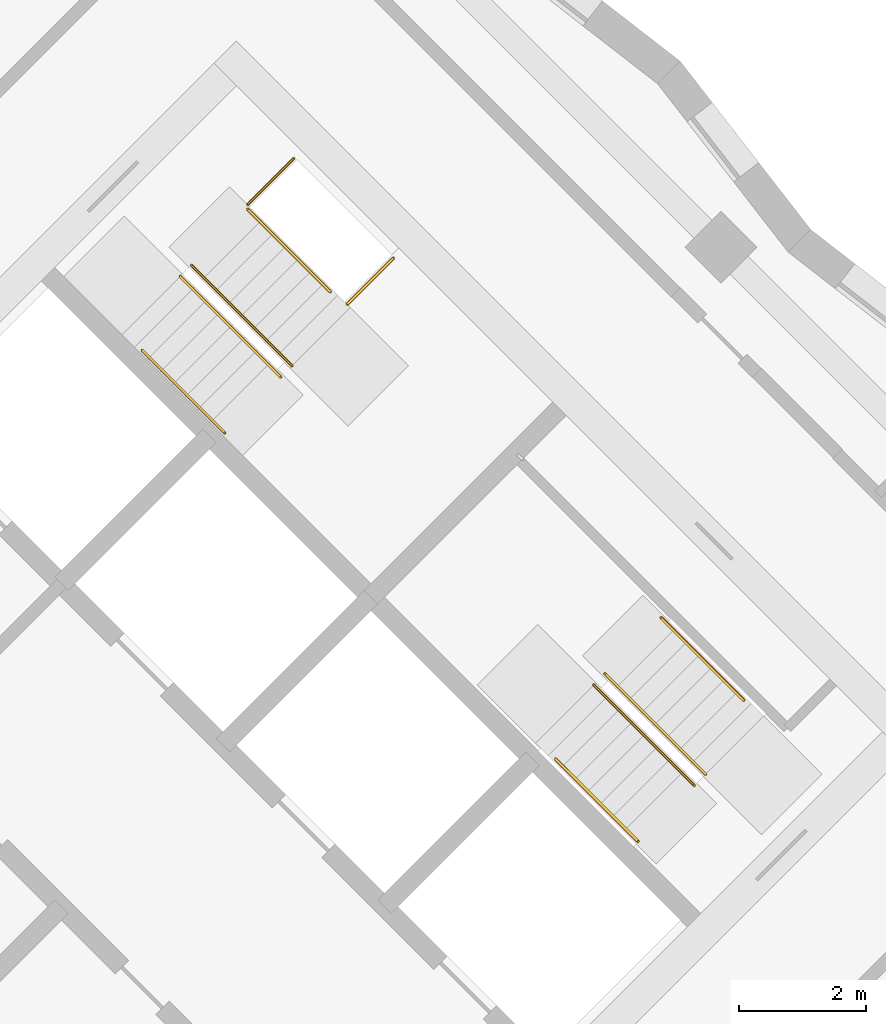
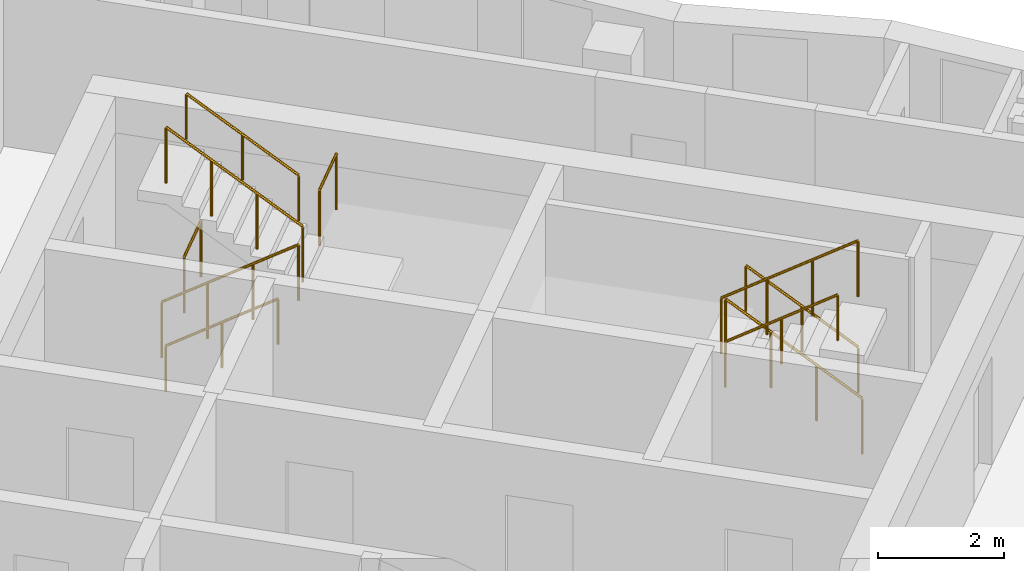
# One storey, part 13 of 13: 10 railings.
"""IFC4 building model written with IfcOpenShell, lengths in metres."""

from ifc_helpers import new_model, si_unit, direction, frame, origin, origin_2d, place, context, subcontext, project, spatial, circle, extrude, material, type_object, element, save


model = new_model("IFC4")

# Units and contexts
model_context = context("Model", 3, precision=1e-05, world=origin(), true_north=direction((0.0, 1.0)))
body_context = subcontext(model_context, "Body", "Model", "MODEL_VIEW")
ifc_project = project(units=[si_unit("LENGTHUNIT", "METRE"), si_unit("AREAUNIT", "SQUARE_METRE"), si_unit("VOLUMEUNIT", "CUBIC_METRE"), si_unit("PLANEANGLEUNIT", "RADIAN"), si_unit("MASSUNIT", "GRAM", prefix="KILO")], contexts=[model_context])

# Site, building, storey
site_placement = place(None, origin())
site = spatial("IfcSite", under=ifc_project, at=site_placement, CompositionType="ELEMENT")
building_placement = place(site_placement, origin())
building = spatial("IfcBuilding", under=site, at=building_placement, Name="Windrow Commons", CompositionType="ELEMENT")
storey_placement = place(building_placement, frame((0.0, 0.0, 203.2)))
storey = spatial("IfcBuildingStorey", under=building, at=storey_placement, Name="L55", CompositionType="ELEMENT", Elevation=203.2)

# Railings
ifc_material_1 = material(Name="Steel S355", Category="steel")
railing_type_1 = type_object("IfcRailingType", Name="Core stair guard 1100", PredefinedType="GUARDRAIL", material=ifc_material_1)
railing_1_placement = place(storey_placement, frame((85.9529, 56.2669, 0.1889)))
element("IfcRailing", 1, at=railing_1_placement, inside=storey, type_object=railing_type_1, Name="L55 ST-B1 stair guard 1", PredefinedType="GUARDRAIL", context=body_context, shape_type="SweptSolid", body=[
    extrude(circle(Radius=0.024, at=origin_2d()), frame((0.0, 0.0, 1.076), z_axis=(0.5861914914, -0.5861914914, 0.5592486664), x_axis=(0.7071067812, 0.7071067812, 0.0)), (0.0, 0.0, 1.0), 2.702),
    extrude(circle(Radius=0.021, at=origin_2d()), origin(), (0.0, 0.0, 1.0), 1.052),
    extrude(circle(Radius=0.021, at=origin_2d()), frame((0.528, -0.528, 0.5037)), (0.0, 0.0, 1.0), 1.052),
    extrude(circle(Radius=0.021, at=origin_2d()), frame((1.0559, -1.0559, 1.0074)), (0.0, 0.0, 1.0), 1.052),
    extrude(circle(Radius=0.021, at=origin_2d()), frame((1.5839, -1.5839, 1.5111)), (0.0, 0.0, 1.0), 1.052),
])
railing_2_placement = place(storey_placement, frame((87.7136, 54.8597, 1.8889)))
element("IfcRailing", 2, at=railing_2_placement, inside=storey, type_object=railing_type_1, Name="L55 ST-B1 stair guard 2", PredefinedType="GUARDRAIL", context=body_context, shape_type="SweptSolid", body=[
    extrude(circle(Radius=0.024, at=origin_2d()), frame((0.0, 0.0, 1.076), z_axis=(-0.5862030657, 0.5862030657, 0.5592244018), x_axis=(-0.7071067812, -0.7071067812, 0.0)), (0.0, 0.0, 1.0), 2.7021),
    extrude(circle(Radius=0.021, at=origin_2d()), origin(), (0.0, 0.0, 1.0), 1.052),
    extrude(circle(Radius=0.021, at=origin_2d()), frame((-0.528, 0.528, 0.5037)), (0.0, 0.0, 1.0), 1.052),
    extrude(circle(Radius=0.021, at=origin_2d()), frame((-1.056, 1.056, 1.0074)), (0.0, 0.0, 1.0), 1.052),
    extrude(circle(Radius=0.021, at=origin_2d()), frame((-1.584, 1.584, 1.5111)), (0.0, 0.0, 1.0), 1.052),
])
railing_3_placement = place(storey_placement, frame((87.0135, 57.3982, 0.0)))
element("IfcRailing", 3, at=railing_3_placement, inside=storey, type_object=railing_type_1, Name="L55 ST-B1 stair guard 3", PredefinedType="GUARDRAIL", context=body_context, shape_type="SweptSolid", body=[
    extrude(circle(Radius=0.024, at=origin_2d()), frame((0.0, 0.0, 1.076), z_axis=(0.7070582378, 0.7071553212, 0.0), x_axis=(-0.7071553212, 0.7070582378, 0.0)), (0.0, 0.0, 1.0), 1.03),
    extrude(circle(Radius=0.021, at=origin_2d()), origin(), (0.0, 0.0, 1.0), 1.052),
    extrude(circle(Radius=0.021, at=origin_2d()), frame((0.7283, 0.7284, 0.0)), (0.0, 0.0, 1.0), 1.052),
])
railing_4_placement = place(storey_placement, frame((88.5833, 55.8285, 1.7)))
element("IfcRailing", 4, at=railing_4_placement, inside=storey, type_object=railing_type_1, Name="L55 ST-B1 stair guard 4", PredefinedType="GUARDRAIL", context=body_context, shape_type="SweptSolid", body=[
    extrude(circle(Radius=0.024, at=origin_2d()), frame((0.0, 0.0, 1.076), z_axis=(0.7071067812, 0.7071067812, 0.0), x_axis=(-0.7071067812, 0.7071067812, 0.0)), (0.0, 0.0, 1.0), 1.03),
    extrude(circle(Radius=0.021, at=origin_2d()), origin(), (0.0, 0.0, 1.0), 1.052),
    extrude(circle(Radius=0.021, at=origin_2d()), frame((0.7283, 0.7283, 0.0)), (0.0, 0.0, 1.0), 1.052),
])
railing_5_placement = place(storey_placement, frame((94.2296, 48.4215, 0.1889)))
element("IfcRailing", 5, at=railing_5_placement, inside=storey, type_object=railing_type_1, Name="L55 ST-B2 stair guard 1", PredefinedType="GUARDRAIL", context=body_context, shape_type="SweptSolid", body=[
    extrude(circle(Radius=0.024, at=origin_2d()), frame((0.0, 0.0, 1.076), z_axis=(-0.5862157828, 0.5861787742, 0.5592365337), x_axis=(-0.7070844598, -0.7071291018, 0.0)), (0.0, 0.0, 1.0), 2.7021),
    extrude(circle(Radius=0.021, at=origin_2d()), origin(), (0.0, 0.0, 1.0), 1.052),
    extrude(circle(Radius=0.021, at=origin_2d()), frame((-0.528, 0.528, 0.5037)), (0.0, 0.0, 1.0), 1.052),
    extrude(circle(Radius=0.021, at=origin_2d()), frame((-1.056, 1.0559, 1.0074)), (0.0, 0.0, 1.0), 1.052),
    extrude(circle(Radius=0.021, at=origin_2d()), frame((-1.584, 1.5839, 1.5111)), (0.0, 0.0, 1.0), 1.052),
])
railing_6_placement = place(storey_placement, frame((92.4689, 49.8287, 1.8889)))
element("IfcRailing", 6, at=railing_6_placement, inside=storey, type_object=railing_type_1, Name="L55 ST-B2 stair guard 2", PredefinedType="GUARDRAIL", context=body_context, shape_type="SweptSolid", body=[
    extrude(circle(Radius=0.024, at=origin_2d()), frame((0.0, 0.0, 1.076), z_axis=(0.5861787742, -0.5862157828, 0.5592365337), x_axis=(0.7071291018, 0.7070844598, 0.0)), (0.0, 0.0, 1.0), 2.7021),
    extrude(circle(Radius=0.021, at=origin_2d()), origin(), (0.0, 0.0, 1.0), 1.052),
    extrude(circle(Radius=0.021, at=origin_2d()), frame((0.528, -0.528, 0.5037)), (0.0, 0.0, 1.0), 1.052),
    extrude(circle(Radius=0.021, at=origin_2d()), frame((1.0559, -1.056, 1.0074)), (0.0, 0.0, 1.0), 1.052),
    extrude(circle(Radius=0.021, at=origin_2d()), frame((1.5839, -1.584, 1.5111)), (0.0, 0.0, 1.0), 1.052),
])
ifc_material_2 = material(Name="Steel S355", Category="steel")
railing_type_2 = type_object("IfcRailingType", Name="Core stair handrail 900", PredefinedType="HANDRAIL", material=ifc_material_2)
railing_7_placement = place(storey_placement, frame((85.3518, 55.1001, 0.4587)))
element("IfcRailing", 7, at=railing_7_placement, inside=storey, type_object=railing_type_2, Name="L55 ST-B1 stair handrail 1", PredefinedType="HANDRAIL", context=body_context, shape_type="SweptSolid", body=[
    extrude(circle(Radius=0.024, at=origin_2d()), frame((0.0, 0.0, 0.876), z_axis=(0.586206706, -0.5861616513, 0.5592639952), x_axis=(0.7070796062, 0.7071339551, 0.0)), (0.0, 0.0, 1.0), 2.2195),
    extrude(circle(Radius=0.021, at=origin_2d()), origin(), (0.0, 0.0, 1.0), 0.852),
    extrude(circle(Radius=0.021, at=origin_2d()), frame((0.6506, -0.6505, 0.6206)), (0.0, 0.0, 1.0), 0.852),
    extrude(circle(Radius=0.021, at=origin_2d()), frame((1.3011, -1.301, 1.2413)), (0.0, 0.0, 1.0), 0.852),
])
for number, where, name in (
    (8, (88.3146, 56.0265, 2.1587), "L55 ST-B1 stair handrail 2"),
    (9, (94.8306, 49.5883, 0.4587), "L55 ST-B2 stair handrail 1"),
):
    element("IfcRailing", number, at=place(storey_placement, frame(where)), inside=storey, type_object=railing_type_2, Name=name, PredefinedType="HANDRAIL", context=body_context, shape_type="SweptSolid", body=[
        extrude(circle(Radius=0.024, at=origin_2d()), frame((0.0, 0.0, 0.876), z_axis=(-0.586206706, 0.5861616513, 0.5592639952), x_axis=(-0.7070796062, -0.7071339551, 0.0)), (0.0, 0.0, 1.0), 2.2195),
        extrude(circle(Radius=0.021, at=origin_2d()), origin(), (0.0, 0.0, 1.0), 0.852),
        extrude(circle(Radius=0.021, at=origin_2d()), frame((-0.6506, 0.6505, 0.6206)), (0.0, 0.0, 1.0), 0.852),
        extrude(circle(Radius=0.021, at=origin_2d()), frame((-1.3011, 1.301, 1.2413)), (0.0, 0.0, 1.0), 0.852),
    ])
railing_8_placement = place(storey_placement, frame((91.8678, 48.6619, 2.1587)))
element("IfcRailing", 10, at=railing_8_placement, inside=storey, type_object=railing_type_2, Name="L55 ST-B2 stair handrail 2", PredefinedType="HANDRAIL", context=body_context, shape_type="SweptSolid", body=[
    extrude(circle(Radius=0.024, at=origin_2d()), frame((0.0, 0.0, 0.876), z_axis=(0.586206706, -0.5861616513, 0.5592639952), x_axis=(0.7070796062, 0.7071339551, 0.0)), (0.0, 0.0, 1.0), 2.2195),
    extrude(circle(Radius=0.021, at=origin_2d()), origin(), (0.0, 0.0, 1.0), 0.852),
    extrude(circle(Radius=0.021, at=origin_2d()), frame((0.6505, -0.6505, 0.6206)), (0.0, 0.0, 1.0), 0.852),
    extrude(circle(Radius=0.021, at=origin_2d()), frame((1.3011, -1.301, 1.2413)), (0.0, 0.0, 1.0), 0.852),
])

save(model, "model.ifc")
